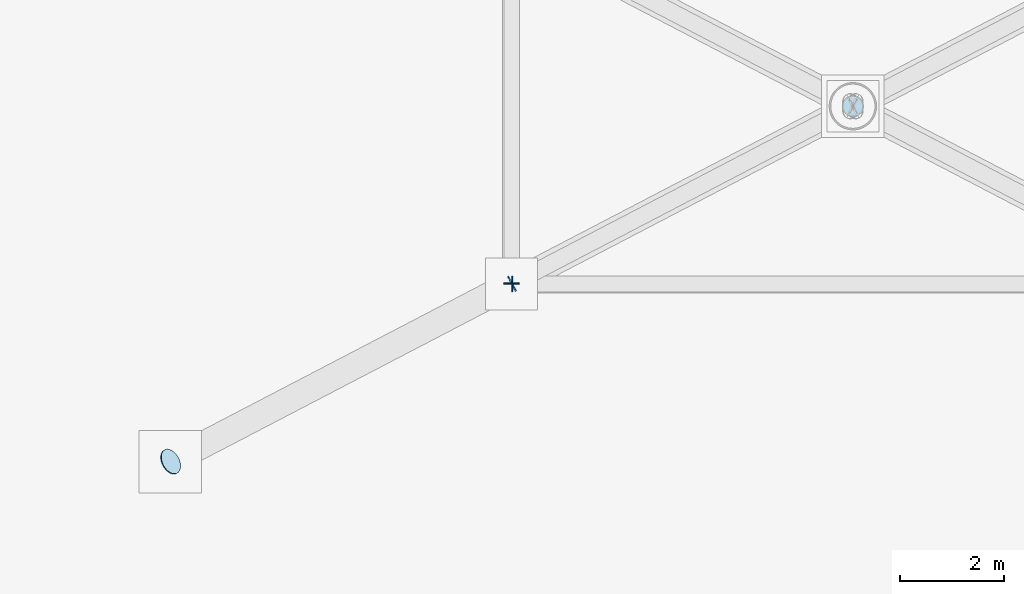
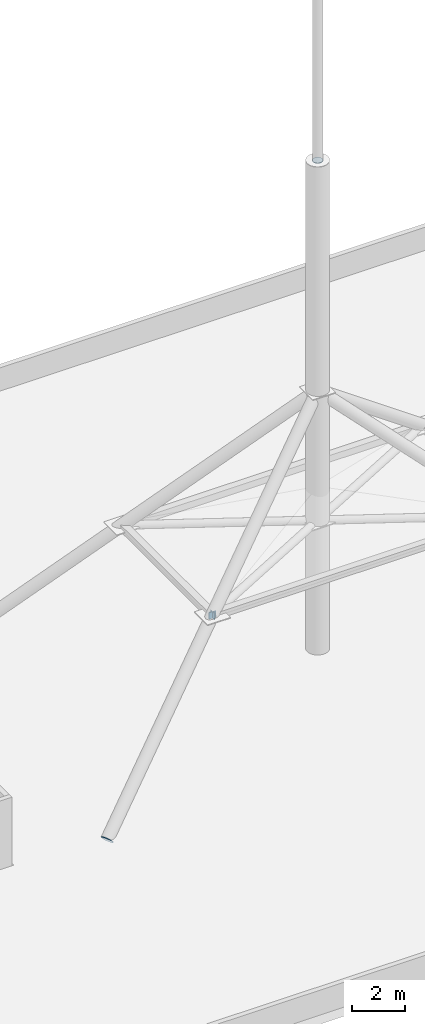
# One storey, part 3 of 8: 5 plates.
"""IFC4 building model written with IfcOpenShell, lengths in metres."""

from ifc_helpers import new_model, si_unit, direction, frame, origin, origin_2d, place, context, subcontext, project, spatial, rectangle, circle, extrude, material, layer, layer_set, type_object, element, save


model = new_model("IFC4")

# Units and contexts
model_context = context("Model", 3, precision=1e-05, world=origin(), true_north=direction((0.0, 1.0)))
body_context = subcontext(model_context, "Body", "Model", "MODEL_VIEW")
ifc_project = project(units=[si_unit("LENGTHUNIT", "METRE"), si_unit("AREAUNIT", "SQUARE_METRE"), si_unit("VOLUMEUNIT", "CUBIC_METRE"), si_unit("PLANEANGLEUNIT", "RADIAN"), si_unit("MASSUNIT", "GRAM", prefix="KILO")], contexts=[model_context])

# Site, building, storey
site_placement = place(None, origin())
site = spatial("IfcSite", under=ifc_project, at=site_placement, CompositionType="ELEMENT")
building_placement = place(site_placement, origin())
building = spatial("IfcBuilding", under=site, at=building_placement, Name="Putna Gate Headquarters", CompositionType="ELEMENT")
storey_placement = place(building_placement, frame((0.0, 0.0, 320.39990234375)))
storey = spatial("IfcBuildingStorey", under=building, at=storey_placement, Name="RF", CompositionType="ELEMENT", Elevation=320.39990234375)

# Plates
ifc_material_1 = material(Name="Steel S355J2", Category="steel")
ifc_layer_1 = layer(ifc_material_1, 0.02001953125)
ifc_layer_set_1 = layer_set([ifc_layer_1], Name="Steel S355J2")
plate_type_1 = type_object("IfcPlateType", Name="PLT-CAP-EC-C324", PredefinedType="SHEET", material=ifc_layer_set_1)
plate_1_placement = place(storey_placement, frame((32.425048828125, 22.574951171875, 5.987548828125), z_axis=(0.884384752847, 0.466758619558, 0.0), x_axis=(-0.466758619558, 0.884384752847, 0.0)))
element("IfcPlate", 1, at=plate_1_placement, inside=storey, type_object=plate_type_1, Name="Needle Spire Radial Brace SD-1 1 End Cap Start", PredefinedType="SHEET", context=body_context, shape_type="SweptSolid", body=[
    extrude(circle(Radius=0.161865234375, at=origin_2d()), origin(), (0.0, 0.0, 1.0), 0.019775390625),
])
ifc_material_2 = material(Name="Steel S460M", Category="steel")
ifc_layer_2 = layer(ifc_material_2, 0.02001953125)
ifc_layer_set_2 = layer_set([ifc_layer_2], Name="Steel S460M")
plate_type_2 = type_object("IfcPlateType", Name="PLT-CAP-EC-C406", PredefinedType="SHEET", material=ifc_layer_set_2)
plate_2_placement = place(storey_placement, frame((39.0, 26.0, 22.585205078125), z_axis=(0.0, 0.0, 1.0), x_axis=(1.0, 0.0, 0.0)))
element("IfcPlate", 2, at=plate_2_placement, inside=storey, type_object=plate_type_2, Name="Needle Spire Finial Mast SP-3 End Cap Start", PredefinedType="SHEET", context=body_context, shape_type="SweptSolid", body=[
    extrude(circle(Radius=0.203125, at=origin_2d()), origin(), (0.0, 0.0, 1.0), 0.019775390625),
])
ifc_layer_3 = layer(ifc_material_1, 0.02001953125)
ifc_layer_set_3 = layer_set([ifc_layer_3], Name="Steel S355J2")
plate_type_3 = type_object("IfcPlateType", Name="PLT-CAP-EC-C508", PredefinedType="SHEET", material=ifc_layer_set_3)
plate_3_placement = place(storey_placement, frame((25.85009765625, 19.14990234375, -0.014892578125), z_axis=(0.682115751988, 0.365419152851, 0.633393198274), x_axis=(-0.472221412515, 0.881479970029, 0.0)))
element("IfcPlate", 3, at=plate_3_placement, inside=storey, type_object=plate_type_3, Name="Needle Spire Raking Leg SL-1 SW End Cap Start", PredefinedType="SHEET", context=body_context, shape_type="SweptSolid", body=[
    extrude(circle(Radius=0.25390625, at=origin_2d()), origin(), (0.0, 0.0, 1.0), 0.02001953125),
])
ifc_layer_4 = layer(ifc_material_1, 0.02001953125)
ifc_layer_set_4 = layer_set([ifc_layer_4], Name="Steel S355J2")
plate_type_4 = type_object("IfcPlateType", Name="PLT-CAP-EC-S300", PredefinedType="SHEET", material=ifc_layer_set_4)
for number, where, z_axis, x_axis, name in (
    (4, (32.425048828125, 22.574951171875, 5.987548828125), (0.0, 1.0, 0.0), (-1.0, 0.0, 0.0), "Needle Spire Mid Ring Chord SR-1 1 End Cap Start"),
    (5, (32.445068359375, 22.574951171875, 5.987548828125), (-1.0, 0.0, 0.0), (0.0, -1.0, 0.0), "Needle Spire Mid Ring Chord SR-1 4 End Cap End"),
):
    element("IfcPlate", number, at=place(storey_placement, frame(where, z_axis=z_axis, x_axis=x_axis)), inside=storey, type_object=plate_type_4, Name=name, PredefinedType="SHEET", context=body_context, shape_type="SweptSolid", body=[
        extrude(rectangle(XDim=0.300048828125, YDim=0.300048828125, at=origin_2d()), origin(), (0.0, 0.0, 1.0), 0.02001953125),
    ])

save(model, "model.ifc")
